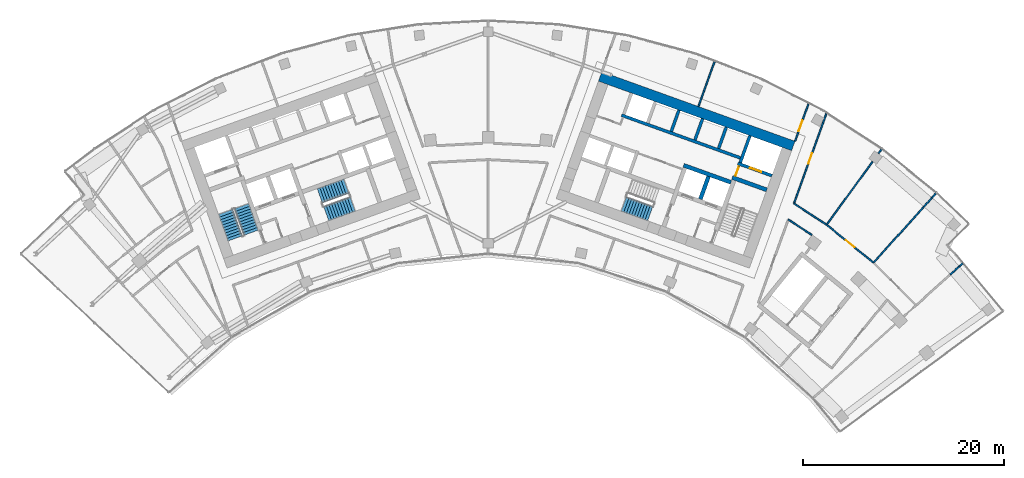
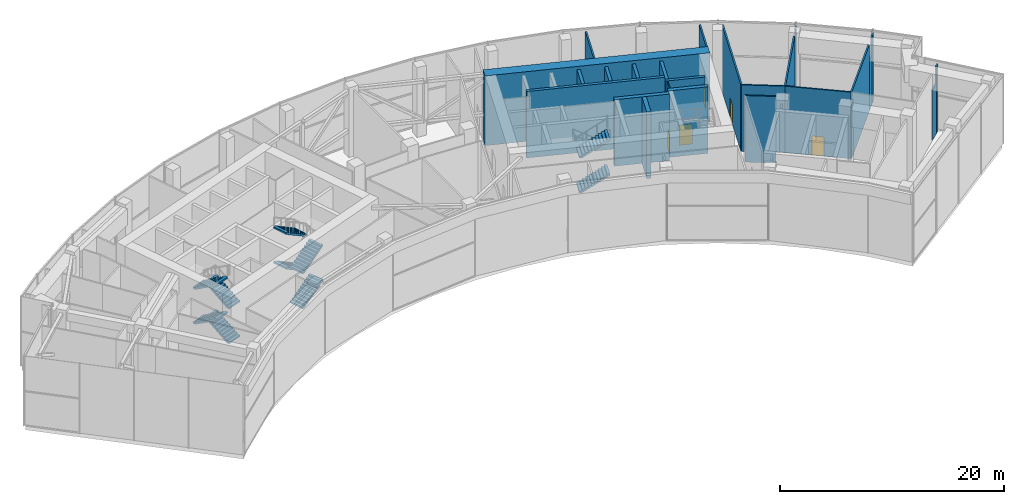
# One storey, part 23 of 26: 24 walls, 10 stair flights, 5 doors, 5 openings, 3 elements without a shape of their own.
"""IFC4 building model written with IfcOpenShell, lengths in metres."""

from ifc_helpers import new_model, si_unit, direction, frame, frame_2d, origin, place, context, subcontext, project, spatial, polyline, rectangle, outline, extrude, material, layer, layer_set, type_object, element, fill, aggregate, save


model = new_model("IFC4")

# Units and contexts
model_context = context("Model", 3, precision=1e-05, world=origin(), true_north=direction((0.0, 1.0)))
body_context = subcontext(model_context, "Body", "Model", "MODEL_VIEW")
ifc_project = project(units=[si_unit("LENGTHUNIT", "METRE"), si_unit("AREAUNIT", "SQUARE_METRE"), si_unit("VOLUMEUNIT", "CUBIC_METRE"), si_unit("PLANEANGLEUNIT", "RADIAN"), si_unit("MASSUNIT", "GRAM", prefix="KILO")], contexts=[model_context])

# Site, building, storey
site_placement = place(None, origin())
site = spatial("IfcSite", under=ifc_project, at=site_placement, CompositionType="ELEMENT")
building_placement = place(site_placement, origin())
building = spatial("IfcBuilding", under=site, at=building_placement, Name="Stone Belt Terrace Tower", CompositionType="ELEMENT")
storey_placement = place(building_placement, frame((0.0, 0.0, 250.39990234375)))
storey = spatial("IfcBuildingStorey", under=building, at=storey_placement, Name="L61", CompositionType="ELEMENT", Elevation=250.39990234375)

# Wall, opening, door
ifc_material_1 = material(Name="Plasterboard partition")
ifc_layer_1 = layer(ifc_material_1, 0.10009765625)
ifc_layer_set_1 = layer_set([ifc_layer_1], Name="Core partition 100")
wall_type_1 = type_object("IfcWallType", Name="Core partition 100", PredefinedType="PARTITIONING", material=ifc_layer_set_1)
wall_1_placement = place(storey_placement, frame((24.555908203125, 51.10400390625, 0.0), z_axis=(0.0, 0.0, 1.0), x_axis=(0.338621735342, 0.94092258999, 0.0)))
wall_1 = element("IfcWall", 1, at=wall_1_placement, inside=storey, type_object=wall_type_1, Name="Core B wall", PredefinedType="PARTITIONING", context=body_context, shape_type="SweptSolid", body=[
    extrude(rectangle(XDim=1.14990234375, YDim=0.10009765625, at=frame_2d((0.574951171875, 0.0))), origin(), (0.0, 0.0, 1.0), 7.25),
])
opening_1_placement = place(wall_1_placement, frame((0.050048828125, 0.0, 0.0)))
opening_1 = element("IfcOpeningElement", 2, at=opening_1_placement, cuts=wall_1, Name="Opening L61-C13", PredefinedType="OPENING", context=body_context, shape_type="SweptSolid", body=[
    extrude(rectangle(XDim=1.0, YDim=2.10009765625, at=frame_2d((0.5, 1.050048828125))), frame((0.0, 0.06005859375, 0.0), z_axis=(0.0, -1.0, 0.0), x_axis=(1.0, 0.0, 0.0)), (0.0, 0.0, 1.0), 0.1201171875),
])
ifc_material_2 = material(Name="Timber door leaf", Category="wood")
door_type_1 = type_object("IfcDoorType", Name="Core room door 1000", OperationType="SINGLE_SWING_LEFT", PredefinedType="DOOR", material=ifc_material_2)
door_1_placement = place(opening_1_placement, origin())
door_1 = element("IfcDoor", 3, at=door_1_placement, inside=storey, type_object=door_type_1, Name="Service lift lobby door core B", OperationType="SINGLE_SWING_LEFT", OverallHeight=2.10009765625, OverallWidth=1.0, PredefinedType="DOOR", context=body_context, shape_type="SweptSolid", body=[
    extrude(rectangle(XDim=1.0, YDim=2.10009765625, at=frame_2d((0.5, 1.050048828125))), frame((0.0, 0.02490234375, 0.0), z_axis=(0.0, -1.0, 0.0), x_axis=(1.0, 0.0, 0.0)), (0.0, 0.0, 1.0), 0.050048828125),
])
fill(opening_1, door_1)

# Walls
ifc_material_3 = material(Name="Concrete B60", Category="concrete")
ifc_layer_2 = layer(ifc_material_3, 1.0)
ifc_layer_set_2 = layer_set([ifc_layer_2], Name="Core wall 1000 B60")
wall_type_2 = type_object("IfcWallType", Name="Core wall 1000 B60", PredefinedType="SHEAR", material=ifc_layer_set_2)
wall_2_placement = place(storey_placement, frame((11.12646484375, 61.038330078125, 0.0), z_axis=(0.0, 0.0, 1.0), x_axis=(0.940921428504, -0.338624962727, 0.0)))
element("IfcWall", 4, at=wall_2_placement, inside=storey, type_object=wall_type_2, Name="Core B wall convex L61", PredefinedType="SHEAR", context=body_context, shape_type="SweptSolid", body=[
    extrude(rectangle(XDim=20.400146484375, YDim=1.0, at=frame_2d((10.2001953125, 0.0))), origin(), (0.0, 0.0, 1.0), 7.60009765625),
])
ifc_material_4 = material(Name="Concrete B80", Category="concrete")
ifc_layer_3 = layer(ifc_material_4, 0.39990234375)
ifc_layer_set_3 = layer_set([ifc_layer_3], Name="Fire-fighting lift shaft wall 400")
wall_type_3 = type_object("IfcWallType", Name="Fire-fighting lift shaft wall 400", PredefinedType="SHEAR", material=ifc_layer_set_3)
wall_3_placement = place(storey_placement, frame((24.130615234375, 50.512939453125, 0.0), z_axis=(0.0, 0.0, 1.0), x_axis=(-0.94091168377, 0.338652038744, 0.0)))
element("IfcWall", 5, at=wall_3_placement, inside=storey, type_object=wall_type_3, Name="Core B wall", PredefinedType="SHEAR", context=body_context, shape_type="SweptSolid", body=[
    extrude(rectangle(XDim=5.000244140625, YDim=0.39990234375, at=frame_2d((2.5, 0.0))), origin(), (0.0, 0.0, 1.0), 7.25),
])
wall_4_placement = place(storey_placement, frame((21.0859375, 48.845458984375, 0.0), z_axis=(0.0, 0.0, 1.0), x_axis=(0.338629416206, 0.940919825745, 0.0)))
element("IfcWall", 6, at=wall_4_placement, inside=storey, type_object=wall_type_3, Name="Core B wall", PredefinedType="SHEAR", context=body_context, shape_type="SweptSolid", body=[
    extrude(rectangle(XDim=2.400146484375, YDim=0.39990234375, at=frame_2d((1.2001953125, 0.0))), origin(), (0.0, 0.0, 1.0), 7.25),
])

# Wall, opening, door
ifc_layer_4 = layer(ifc_material_4, 0.300048828125)
ifc_layer_set_4 = layer_set([ifc_layer_4], Name="Lift shaft wall 300")
wall_type_4 = type_object("IfcWallType", Name="Lift shaft wall 300", PredefinedType="SHEAR", material=ifc_layer_set_4)
wall_5_placement = place(storey_placement, frame((28.195068359375, 51.17578125, 0.0), z_axis=(0.0, 0.0, 1.0), x_axis=(-0.940901243567, 0.338681044427, 0.0)))
wall_5 = element("IfcWall", 7, at=wall_5_placement, inside=storey, type_object=wall_type_4, Name="Core B wall", PredefinedType="SHEAR", context=body_context, shape_type="SweptSolid", body=[
    extrude(rectangle(XDim=3.599853515625, YDim=0.300048828125, at=frame_2d((1.7998046875, 0.0))), origin(), (0.0, 0.0, 1.0), 7.25),
])
opening_2_placement = place(wall_5_placement, frame((1.1201171875, 0.0, 0.0)))
opening_2 = element("IfcOpeningElement", 8, at=opening_2_placement, cuts=wall_5, Name="Opening L61-LD06", PredefinedType="OPENING", context=body_context, shape_type="SweptSolid", body=[
    extrude(rectangle(XDim=1.199951171875, YDim=2.199951171875, at=frame_2d((0.60009765625, 1.10009765625))), frame((0.0, 0.159912109375, 0.0), z_axis=(0.0, -1.0, 0.0), x_axis=(1.0, 0.0, 0.0)), (0.0, 0.0, 1.0), 0.320068359375),
])
ifc_material_5 = material(Name="Stainless steel door leaf", Category="steel")
door_type_2 = type_object("IfcDoorType", Name="Landing door 1200", OperationType="SLIDING_TO_LEFT", PredefinedType="DOOR", material=ifc_material_5)
door_2_placement = place(opening_2_placement, origin())
door_2 = element("IfcDoor", 9, at=door_2_placement, inside=storey, type_object=door_type_2, Name="Landing door SV1 core B", OperationType="SLIDING_TO_LEFT", OverallHeight=2.199951171875, OverallWidth=1.199951171875, PredefinedType="DOOR", context=body_context, shape_type="SweptSolid", body=[
    extrude(rectangle(XDim=1.199951171875, YDim=2.199951171875, at=frame_2d((0.60009765625, 1.10009765625))), frame((0.0, 0.02490234375, 0.0), z_axis=(0.0, -1.0, 0.0), x_axis=(1.0, 0.0, 0.0)), (0.0, 0.0, 1.0), 0.050048828125),
])
fill(opening_2, door_2)

# Walls
wall_6_placement = place(storey_placement, frame((25.046875, 52.46826171875, 0.0), z_axis=(0.0, 0.0, 1.0), x_axis=(0.338549588058, 0.940948551423, 0.0)))
element("IfcWall", 10, at=wall_6_placement, inside=storey, type_object=wall_type_4, Name="Core B wall", PredefinedType="SHEAR", context=body_context, shape_type="SweptSolid", body=[
    extrude(rectangle(XDim=2.849853515625, YDim=0.300048828125, at=frame_2d((1.4248046875, 0.0))), origin(), (0.0, 0.0, 1.0), 7.25),
])
wall_7_placement = place(storey_placement, frame((25.05810546875, 52.9423828125, 0.0), z_axis=(0.0, 0.0, 1.0), x_axis=(-0.940921381676, 0.338625092847, 0.0)))
element("IfcWall", 11, at=wall_7_placement, inside=storey, type_object=wall_type_4, Name="Core B wall", PredefinedType="SHEAR", context=body_context, shape_type="SweptSolid", body=[
    extrude(rectangle(XDim=12.550048828125, YDim=0.300048828125, at=frame_2d((6.27490234375, 0.0))), origin(), (0.0, 0.0, 1.0), 7.25),
])
wall_8_placement = place(storey_placement, frame((22.897705078125, 53.87939453125, 0.0), z_axis=(0.0, 0.0, 1.0), x_axis=(0.338535034312, 0.940953787677, 0.0)))
element("IfcWall", 12, at=wall_8_placement, inside=storey, type_object=wall_type_4, Name="Core B wall", PredefinedType="SHEAR", context=body_context, shape_type="SweptSolid", body=[
    extrude(rectangle(XDim=2.25, YDim=0.300048828125, at=frame_2d((1.125, 0.0))), origin(), (0.0, 0.0, 1.0), 7.25),
])
wall_9_placement = place(storey_placement, frame((20.54541015625, 54.72607421875, 0.0), z_axis=(0.0, 0.0, 1.0), x_axis=(0.338569601369, 0.940941350472, 0.0)))
element("IfcWall", 13, at=wall_9_placement, inside=storey, type_object=wall_type_4, Name="Core B wall", PredefinedType="SHEAR", context=body_context, shape_type="SweptSolid", body=[
    extrude(rectangle(XDim=2.249755859375, YDim=0.300048828125, at=frame_2d((1.125, 0.0))), origin(), (0.0, 0.0, 1.0), 7.25),
])
wall_10_placement = place(storey_placement, frame((18.193115234375, 55.572509765625, 0.0), z_axis=(0.0, 0.0, 1.0), x_axis=(0.338535034312, 0.940953787677, 0.0)))
element("IfcWall", 14, at=wall_10_placement, inside=storey, type_object=wall_type_4, Name="Core B wall", PredefinedType="SHEAR", context=body_context, shape_type="SweptSolid", body=[
    extrude(rectangle(XDim=2.25, YDim=0.300048828125, at=frame_2d((1.125, 0.0))), origin(), (0.0, 0.0, 1.0), 7.25),
])

# Wall, opening, door
ifc_material_6 = material(Name="Gypsum board partition")
ifc_layer_5 = layer(ifc_material_6, 0.14990234375)
ifc_layer_set_5 = layer_set([ifc_layer_5], Name="PARTITION 150 EI 60")
wall_type_5 = type_object("IfcWallType", Name="PARTITION 150 EI 60", PredefinedType="PARTITIONING", material=ifc_layer_set_5)
wall_11_placement = place(storey_placement, frame((30.490966796875, 54.60107421875, 0.0), z_axis=(0.0, 0.0, 1.0), x_axis=(0.338542007836, 0.940951278723, 0.0)))
wall_11 = element("IfcWall", 15, at=wall_11_placement, inside=storey, type_object=wall_type_5, Name="L61/wall/i026", PredefinedType="PARTITIONING", context=body_context, shape_type="SweptSolid", body=[
    extrude(rectangle(XDim=3.946044921875, YDim=0.14990234375, at=frame_2d((1.97314453125, 0.0))), origin(), (0.0, 0.0, 1.0), 7.25),
])
opening_3_placement = place(wall_11_placement, frame((1.086181640625, 0.0, 0.0)))
opening_3 = element("IfcOpeningElement", 16, at=opening_3_placement, cuts=wall_11, Name="Opening D-T4-10", PredefinedType="OPENING", context=body_context, shape_type="SweptSolid", body=[
    extrude(rectangle(XDim=1.10009765625, YDim=2.10009765625, at=frame_2d((0.550048828125, 1.050048828125))), frame((0.0, 0.0849609375, 0.0), z_axis=(0.0, -1.0, 0.0), x_axis=(1.0, 0.0, 0.0)), (0.0, 0.0, 1.0), 0.169921875),
])
ifc_material_7 = material(Name="Steel fire door set", Category="steel")
door_type_3 = type_object("IfcDoorType", Name="SERVICE ROOM DOOR 1100 X 2100", OperationType="NOTDEFINED", PredefinedType="DOOR", material=ifc_material_7)
door_3_placement = place(opening_3_placement, origin())
door_3 = element("IfcDoor", 17, at=door_3_placement, inside=storey, type_object=door_type_3, Name="L61/door/i10", OperationType="SINGLE_SWING_LEFT", OverallHeight=2.10009765625, OverallWidth=1.10009765625, PredefinedType="DOOR", context=body_context, shape_type="SweptSolid", body=[
    extrude(rectangle(XDim=1.10009765625, YDim=2.10009765625, at=frame_2d((0.550048828125, 1.050048828125))), frame((0.0, 0.02490234375, 0.0), z_axis=(0.0, -1.0, 0.0), x_axis=(1.0, 0.0, 0.0)), (0.0, 0.0, 1.0), 0.050048828125),
])
fill(opening_3, door_3)

wall_12_placement = place(storey_placement, frame((33.60791015625, 57.35400390625, 0.0), z_axis=(0.0, 0.0, 1.0), x_axis=(-0.338637614316, -0.940916875271, 0.0)))
wall_12 = element("IfcWall", 18, at=wall_12_placement, inside=storey, type_object=wall_type_5, Name="L61/wall/i030", PredefinedType="PARTITIONING", context=body_context, shape_type="SweptSolid", body=[
    extrude(rectangle(XDim=9.505615234375, YDim=0.14990234375, at=frame_2d((4.7529296875, 0.0))), origin(), (0.0, 0.0, 1.0), 7.25),
])
opening_4_placement = place(wall_12_placement, frame((4.202880859375, 0.0, 0.0)))
opening_4 = element("IfcOpeningElement", 19, at=opening_4_placement, cuts=wall_12, Name="Opening D-T4-22", PredefinedType="OPENING", context=body_context, shape_type="SweptSolid", body=[
    extrude(rectangle(XDim=1.10009765625, YDim=2.10009765625, at=frame_2d((0.550048828125, 1.050048828125))), frame((0.0, 0.0849609375, 0.0), z_axis=(0.0, -1.0, 0.0), x_axis=(1.0, 0.0, 0.0)), (0.0, 0.0, 1.0), 0.169921875),
])
door_4_placement = place(opening_4_placement, origin())
door_4 = element("IfcDoor", 20, at=door_4_placement, inside=storey, type_object=door_type_3, Name="L61/door/i22", OperationType="SINGLE_SWING_LEFT", OverallHeight=2.10009765625, OverallWidth=1.10009765625, PredefinedType="DOOR", context=body_context, shape_type="SweptSolid", body=[
    extrude(rectangle(XDim=1.10009765625, YDim=2.10009765625, at=frame_2d((0.550048828125, 1.050048828125))), frame((0.0, 0.02490234375, 0.0), z_axis=(0.0, -1.0, 0.0), x_axis=(1.0, 0.0, 0.0)), (0.0, 0.0, 1.0), 0.050048828125),
])
fill(opening_4, door_4)

# Walls
wall_13_placement = place(storey_placement, frame((22.492919921875, 62.4990234375, 0.0), z_axis=(0.0, 0.0, 1.0), x_axis=(-0.3387158076, -0.940888729703, 0.0)))
element("IfcWall", 21, at=wall_13_placement, inside=storey, type_object=wall_type_5, Name="L61/wall/i037", PredefinedType="PARTITIONING", context=body_context, shape_type="SweptSolid", body=[
    extrude(rectangle(XDim=4.723388671875, YDim=0.14990234375, at=frame_2d((2.36181640625, 0.0))), origin(), (0.0, 0.0, 1.0), 7.25),
])
wall_14_placement = place(storey_placement, frame((45.92529296875, 41.351806640625, 0.0), z_axis=(0.0, 0.0, 1.0), x_axis=(0.743142891823, 0.669132753893, 0.0)))
element("IfcWall", 22, at=wall_14_placement, inside=storey, type_object=wall_type_5, Name="L61/wall/i057-2", PredefinedType="PARTITIONING", context=body_context, shape_type="SweptSolid", body=[
    extrude(rectangle(XDim=1.2041015625, YDim=0.14990234375, at=frame_2d((0.60205078125, 0.0))), origin(), (0.0, 0.0, 1.0), 5.4501953125),
])
wall_15_placement = place(storey_placement, frame((46.820068359375, 42.157470703125, 0.0), z_axis=(0.0, 0.0, 1.0), x_axis=(0.742765901838, 0.669551204215, 0.0)))
element("IfcWall", 23, at=wall_15_placement, inside=storey, type_object=wall_type_5, Name="L61/wall/i057-3", PredefinedType="PARTITIONING", context=body_context, shape_type="SweptSolid", body=[
    extrude(rectangle(XDim=0.436767578125, YDim=0.14990234375, at=frame_2d((0.21826171875, 0.0))), origin(), (0.0, 0.0, 1.0), 7.25),
])
wall_16_placement = place(storey_placement, frame((32.15869140625, 45.2919921875, 0.0), z_axis=(0.0, 0.0, 1.0), x_axis=(-0.837346388284, 0.546672686374, 0.0)))
element("IfcWall", 24, at=wall_16_placement, inside=storey, type_object=wall_type_5, Name="L61/wall/i059", PredefinedType="PARTITIONING", context=body_context, shape_type="SweptSolid", body=[
    extrude(rectangle(XDim=2.795166015625, YDim=0.14990234375, at=frame_2d((1.3974609375, 0.0))), origin(), (0.0, 0.0, 1.0), 7.25),
])
wall_17_placement = place(storey_placement, frame((30.39111328125, 48.4150390625, 0.0), z_axis=(0.0, 0.0, 1.0), x_axis=(0.837265796004, -0.546796110851, 0.0)))
element("IfcWall", 25, at=wall_17_placement, inside=storey, type_object=wall_type_5, Name="L61/wall/i061", PredefinedType="PARTITIONING", context=body_context, shape_type="SweptSolid", body=[
    extrude(rectangle(XDim=3.87548828125, YDim=0.14990234375, at=frame_2d((1.937744140625, 0.0))), origin(), (0.0, 0.0, 1.0), 7.25),
])

# Wall, opening, door
wall_18_placement = place(storey_placement, frame((33.635986328125, 46.2958984375, 0.0), z_axis=(0.0, 0.0, 1.0), x_axis=(0.77714422733, -0.629322532513, 0.0)))
wall_18 = element("IfcWall", 26, at=wall_18_placement, inside=storey, type_object=wall_type_5, Name="L61/wall/i062", PredefinedType="PARTITIONING", context=body_context, shape_type="SweptSolid", body=[
    extrude(rectangle(XDim=5.98876953125, YDim=0.14990234375, at=frame_2d((2.994384765625, 0.0))), origin(), (0.0, 0.0, 1.0), 7.25),
])
opening_5_placement = place(wall_18_placement, frame((2.4443359375, 0.0, 0.0)))
opening_5 = element("IfcOpeningElement", 27, at=opening_5_placement, cuts=wall_18, Name="Opening D-T4-23", PredefinedType="OPENING", context=body_context, shape_type="SweptSolid", body=[
    extrude(rectangle(XDim=1.10009765625, YDim=2.10009765625, at=frame_2d((0.550048828125, 1.050048828125))), frame((0.0, 0.0849609375, 0.0), z_axis=(0.0, -1.0, 0.0), x_axis=(1.0, 0.0, 0.0)), (0.0, 0.0, 1.0), 0.169921875),
])
door_5_placement = place(opening_5_placement, origin())
door_5 = element("IfcDoor", 28, at=door_5_placement, inside=storey, type_object=door_type_3, Name="L61/door/i23", OperationType="SINGLE_SWING_LEFT", OverallHeight=2.10009765625, OverallWidth=1.10009765625, PredefinedType="DOOR", context=body_context, shape_type="SweptSolid", body=[
    extrude(rectangle(XDim=1.10009765625, YDim=2.10009765625, at=frame_2d((0.550048828125, 1.050048828125))), frame((0.0, 0.02490234375, 0.0), z_axis=(0.0, -1.0, 0.0), x_axis=(1.0, 0.0, 0.0)), (0.0, 0.0, 1.0), 0.050048828125),
])
fill(opening_5, door_5)

# Walls
wall_19_placement = place(storey_placement, frame((39.087890625, 53.7998046875, 0.0), z_axis=(0.0, 0.0, 1.0), x_axis=(-0.588057050604, -0.808819451568, 0.0)))
element("IfcWall", 29, at=wall_19_placement, inside=storey, type_object=wall_type_5, Name="L61/wall/i067", PredefinedType="PARTITIONING", context=body_context, shape_type="SweptSolid", body=[
    extrude(rectangle(XDim=0.506591796875, YDim=0.14990234375, at=frame_2d((0.25341796875, 0.0))), origin(), (0.0, 0.0, 1.0), 7.25),
])
wall_20_placement = place(storey_placement, frame((38.196533203125, 52.572998046875, 0.0), z_axis=(0.0, 0.0, 1.0), x_axis=(-0.587782473293, -0.809019013429, 0.0)))
element("IfcWall", 30, at=wall_20_placement, inside=storey, type_object=wall_type_5, Name="L61/wall/i068", PredefinedType="PARTITIONING", context=body_context, shape_type="SweptSolid", body=[
    extrude(rectangle(XDim=7.7587890625, YDim=0.14990234375, at=frame_2d((3.87939453125, 0.0))), origin(), (0.0, 0.0, 1.0), 7.25),
])
wall_21_placement = place(storey_placement, frame((44.496826171875, 49.41943359375, 0.0), z_axis=(0.0, 0.0, 1.0), x_axis=(-0.668941775956, -0.743314805705, 0.0)))
element("IfcWall", 31, at=wall_21_placement, inside=storey, type_object=wall_type_5, Name="L61/wall/i069-1", PredefinedType="PARTITIONING", context=body_context, shape_type="SweptSolid", body=[
    extrude(rectangle(XDim=0.587646484375, YDim=0.14990234375, at=frame_2d((0.2939453125, 0.0))), origin(), (0.0, 0.0, 1.0), 7.25),
])
wall_22_placement = place(storey_placement, frame((44.103759765625, 48.982666015625, 0.0), z_axis=(0.0, 0.0, 1.0), x_axis=(-0.669143902859, -0.743132853039, 0.0)))
element("IfcWall", 32, at=wall_22_placement, inside=storey, type_object=wall_type_5, Name="L61/wall/i069-2", PredefinedType="PARTITIONING", context=body_context, shape_type="SweptSolid", body=[
    extrude(rectangle(XDim=1.204345703125, YDim=0.14990234375, at=frame_2d((0.60205078125, 0.0))), origin(), (0.0, 0.0, 1.0), 5.4501953125),
])
wall_23_placement = place(storey_placement, frame((43.2978515625, 48.087646484375, 0.0), z_axis=(0.0, 0.0, 1.0), x_axis=(-0.669056650987, -0.74321140853, 0.0)))
element("IfcWall", 33, at=wall_23_placement, inside=storey, type_object=wall_type_5, Name="L61/wall/i069-3", PredefinedType="PARTITIONING", context=body_context, shape_type="SweptSolid", body=[
    extrude(rectangle(XDim=7.4833984375, YDim=0.14990234375, at=frame_2d((3.74169921875, 0.0))), origin(), (0.0, 0.0, 1.0), 7.25),
])
ifc_layer_6 = layer(ifc_material_4, 0.39990234375)
ifc_layer_set_6 = layer_set([ifc_layer_6], Name="Stair enclosure wall 400")
wall_type_6 = type_object("IfcWallType", Name="Stair enclosure wall 400", PredefinedType="SHEAR", material=ifc_layer_set_6)
wall_24_placement = place(storey_placement, frame((27.687255859375, 49.764404296875, 0.0), z_axis=(0.0, 0.0, 1.0), x_axis=(-0.940918954884, 0.338631835981, 0.0)))
element("IfcWall", 34, at=wall_24_placement, inside=storey, type_object=wall_type_6, Name="Core B wall", PredefinedType="SHEAR", context=body_context, shape_type="SweptSolid", body=[
    extrude(rectangle(XDim=3.650146484375, YDim=0.39990234375, at=frame_2d((1.8251953125, 0.0))), origin(), (0.0, 0.0, 1.0), 7.25),
])

# Stair, stair flights
ifc_material_8 = material(Name="Concrete B40", Category="concrete")
stair_type = type_object("IfcStairType", Name="Exit stair 1500", PredefinedType="HALF_TURN_STAIR", material=ifc_material_8)
stair_1_placement = place(storey_placement, origin())
stair_1 = element("IfcStair", 35, at=stair_1_placement, inside=storey, type_object=stair_type, Name="L61 Exit stair 1 core A", PredefinedType="HALF_TURN_STAIR")
stair_flight_type = type_object("IfcStairFlightType", Name="Stair flight 1500", PredefinedType="STRAIGHT", material=ifc_material_8)
stair_flight_1_placement = place(storey_placement, frame((-23.55322265625, 45.51318359375, 0.0), z_axis=(0.0, 0.0, 1.0), x_axis=(-0.338624396177, 0.940921632398, 0.0)))
stair_flight_1 = element("IfcStairFlight", 36, at=stair_flight_1_placement, type_object=stair_flight_type, Name="ST1A flight 1", NumberOfRisers=11, NumberOfTreads=10, PredefinedType="STRAIGHT", RiserHeight=0.172727273, TreadLength=0.28, context=body_context, shape_type="SweptSolid", body=[
    extrude(outline(polyline([(0.0, 0.0), (0.0, 0.172607421875), (0.280029296875, 0.172607421875), (0.280029296875, 0.345458984375), (0.56005859375, 0.345458984375), (0.56005859375, 0.51806640625), (0.840087890625, 0.51806640625), (0.840087890625, 0.69091796875), (1.1201171875, 0.69091796875), (1.1201171875, 0.863525390625), (1.39990234375, 0.863525390625), (1.39990234375, 1.036376953125), (1.679931640625, 1.036376953125), (1.679931640625, 1.208984375), (1.9599609375, 1.208984375), (1.9599609375, 1.3818359375), (2.239990234375, 1.3818359375), (2.239990234375, 1.554443359375), (2.52001953125, 1.554443359375), (2.52001953125, 1.727294921875), (2.800048828125, 1.727294921875), (2.800048828125, 1.89990234375), (2.800048828125, 1.551025390625), (0.285400390625, 0.0), (0.0, 0.0)])), frame((0.0, 0.75, 0.0), z_axis=(0.0, -1.0, 0.0), x_axis=(1.0, 0.0, 0.0)), (0.0, 0.0, 1.0), 1.5),
])
stair_flight_2_placement = place(storey_placement, frame((-26.10107421875, 47.572021484375, 1.900146484375), z_axis=(0.0, 0.0, 1.0), x_axis=(0.338624396177, -0.940921632398, 0.0)))
stair_flight_2 = element("IfcStairFlight", 37, at=stair_flight_2_placement, type_object=stair_flight_type, Name="ST1A flight 2", NumberOfRisers=11, NumberOfTreads=10, PredefinedType="STRAIGHT", RiserHeight=0.172727273, TreadLength=0.28, context=body_context, shape_type="SweptSolid", body=[
    extrude(outline(polyline([(0.0, 0.0), (0.0, 0.172607421875), (0.280029296875, 0.172607421875), (0.280029296875, 0.345458984375), (0.56005859375, 0.345458984375), (0.56005859375, 0.51806640625), (0.840087890625, 0.51806640625), (0.840087890625, 0.69091796875), (1.1201171875, 0.69091796875), (1.1201171875, 0.863525390625), (1.39990234375, 0.863525390625), (1.39990234375, 1.036376953125), (1.679931640625, 1.036376953125), (1.679931640625, 1.208984375), (1.9599609375, 1.208984375), (1.9599609375, 1.3818359375), (2.239990234375, 1.3818359375), (2.239990234375, 1.554443359375), (2.52001953125, 1.554443359375), (2.52001953125, 1.727294921875), (2.800048828125, 1.727294921875), (2.800048828125, 1.89990234375), (2.800048828125, 1.551025390625), (0.285400390625, 0.0), (0.0, 0.0)])), frame((0.0, 0.75, 0.0), z_axis=(0.0, -1.0, 0.0), x_axis=(1.0, 0.0, 0.0)), (0.0, 0.0, 1.0), 1.5),
])
stair_flight_3_placement = place(storey_placement, frame((-23.55322265625, 45.51318359375, 3.800048828125), z_axis=(0.0, 0.0, 1.0), x_axis=(-0.338624396177, 0.940921632398, 0.0)))
stair_flight_3 = element("IfcStairFlight", 38, at=stair_flight_3_placement, type_object=stair_flight_type, Name="ST1A flight 3", NumberOfRisers=11, NumberOfTreads=10, PredefinedType="STRAIGHT", RiserHeight=0.172727273, TreadLength=0.28, context=body_context, shape_type="SweptSolid", body=[
    extrude(outline(polyline([(0.0, 0.0), (0.0, 0.172607421875), (0.280029296875, 0.172607421875), (0.280029296875, 0.345458984375), (0.56005859375, 0.345458984375), (0.56005859375, 0.51806640625), (0.840087890625, 0.51806640625), (0.840087890625, 0.69091796875), (1.1201171875, 0.69091796875), (1.1201171875, 0.863525390625), (1.39990234375, 0.863525390625), (1.39990234375, 1.036376953125), (1.679931640625, 1.036376953125), (1.679931640625, 1.208984375), (1.9599609375, 1.208984375), (1.9599609375, 1.3818359375), (2.239990234375, 1.3818359375), (2.239990234375, 1.554443359375), (2.52001953125, 1.554443359375), (2.52001953125, 1.727294921875), (2.800048828125, 1.727294921875), (2.800048828125, 1.89990234375), (2.800048828125, 1.551025390625), (0.285400390625, 0.0), (0.0, 0.0)])), frame((0.0, 0.75, 0.0), z_axis=(0.0, -1.0, 0.0), x_axis=(1.0, 0.0, 0.0)), (0.0, 0.0, 1.0), 1.5),
])
stair_flight_4_placement = place(storey_placement, frame((-26.10107421875, 47.572021484375, 5.7001953125), z_axis=(0.0, 0.0, 1.0), x_axis=(0.338624396177, -0.940921632398, 0.0)))
stair_flight_4 = element("IfcStairFlight", 39, at=stair_flight_4_placement, type_object=stair_flight_type, Name="ST1A flight 4", NumberOfRisers=11, NumberOfTreads=10, PredefinedType="STRAIGHT", RiserHeight=0.172727273, TreadLength=0.28, context=body_context, shape_type="SweptSolid", body=[
    extrude(outline(polyline([(0.0, 0.0), (0.0, 0.172607421875), (0.280029296875, 0.172607421875), (0.280029296875, 0.345458984375), (0.56005859375, 0.345458984375), (0.56005859375, 0.51806640625), (0.840087890625, 0.51806640625), (0.840087890625, 0.69091796875), (1.1201171875, 0.69091796875), (1.1201171875, 0.863525390625), (1.39990234375, 0.863525390625), (1.39990234375, 1.036376953125), (1.679931640625, 1.036376953125), (1.679931640625, 1.208984375), (1.9599609375, 1.208984375), (1.9599609375, 1.3818359375), (2.239990234375, 1.3818359375), (2.239990234375, 1.554443359375), (2.52001953125, 1.554443359375), (2.52001953125, 1.727294921875), (2.800048828125, 1.727294921875), (2.800048828125, 1.89990234375), (2.800048828125, 1.551025390625), (0.285400390625, 0.0), (0.0, 0.0)])), frame((0.0, 0.75, 0.0), z_axis=(0.0, -1.0, 0.0), x_axis=(1.0, 0.0, 0.0)), (0.0, 0.0, 1.0), 1.5),
])
aggregate(stair_1, [stair_flight_1, stair_flight_2, stair_flight_3, stair_flight_4])

stair_2_placement = place(storey_placement, origin())
stair_2 = element("IfcStair", 40, at=stair_2_placement, inside=storey, type_object=stair_type, Name="L61 Exit stair 2 core A", PredefinedType="HALF_TURN_STAIR")
stair_flight_5_placement = place(storey_placement, frame((-16.101318359375, 47.39794921875, 0.0), z_axis=(0.0, 0.0, 1.0), x_axis=(0.940921632398, 0.338624396177, 0.0)))
stair_flight_5 = element("IfcStairFlight", 41, at=stair_flight_5_placement, type_object=stair_flight_type, Name="ST2A flight 1", NumberOfRisers=11, NumberOfTreads=10, PredefinedType="STRAIGHT", RiserHeight=0.172727273, TreadLength=0.28, context=body_context, shape_type="SweptSolid", body=[
    extrude(outline(polyline([(0.0, 0.0), (0.0, 0.172607421875), (0.280029296875, 0.172607421875), (0.280029296875, 0.345458984375), (0.56005859375, 0.345458984375), (0.56005859375, 0.51806640625), (0.840087890625, 0.51806640625), (0.840087890625, 0.69091796875), (1.1201171875, 0.69091796875), (1.1201171875, 0.863525390625), (1.39990234375, 0.863525390625), (1.39990234375, 1.036376953125), (1.679931640625, 1.036376953125), (1.679931640625, 1.208984375), (1.9599609375, 1.208984375), (1.9599609375, 1.3818359375), (2.239990234375, 1.3818359375), (2.239990234375, 1.554443359375), (2.52001953125, 1.554443359375), (2.52001953125, 1.727294921875), (2.800048828125, 1.727294921875), (2.800048828125, 1.89990234375), (2.800048828125, 1.551025390625), (0.285400390625, 0.0), (0.0, 0.0)])), frame((0.0, 0.75, 0.0), z_axis=(0.0, -1.0, 0.0), x_axis=(1.0, 0.0, 0.0)), (0.0, 0.0, 1.0), 1.5),
])
stair_flight_6_placement = place(storey_placement, frame((-14.110107421875, 50.1337890625, 1.900146484375), z_axis=(0.0, 0.0, 1.0), x_axis=(-0.940921632398, -0.338624396177, 0.0)))
stair_flight_6 = element("IfcStairFlight", 42, at=stair_flight_6_placement, type_object=stair_flight_type, Name="ST2A flight 2", NumberOfRisers=11, NumberOfTreads=10, PredefinedType="STRAIGHT", RiserHeight=0.172727273, TreadLength=0.28, context=body_context, shape_type="SweptSolid", body=[
    extrude(outline(polyline([(0.0, 0.0), (0.0, 0.172607421875), (0.280029296875, 0.172607421875), (0.280029296875, 0.345458984375), (0.56005859375, 0.345458984375), (0.56005859375, 0.51806640625), (0.840087890625, 0.51806640625), (0.840087890625, 0.69091796875), (1.1201171875, 0.69091796875), (1.1201171875, 0.863525390625), (1.39990234375, 0.863525390625), (1.39990234375, 1.036376953125), (1.679931640625, 1.036376953125), (1.679931640625, 1.208984375), (1.9599609375, 1.208984375), (1.9599609375, 1.3818359375), (2.239990234375, 1.3818359375), (2.239990234375, 1.554443359375), (2.52001953125, 1.554443359375), (2.52001953125, 1.727294921875), (2.800048828125, 1.727294921875), (2.800048828125, 1.89990234375), (2.800048828125, 1.551025390625), (0.285400390625, 0.0), (0.0, 0.0)])), frame((0.0, 0.75, 0.0), z_axis=(0.0, -1.0, 0.0), x_axis=(1.0, 0.0, 0.0)), (0.0, 0.0, 1.0), 1.5),
])
stair_flight_7_placement = place(storey_placement, frame((-16.101318359375, 47.39794921875, 3.800048828125), z_axis=(0.0, 0.0, 1.0), x_axis=(0.940921632398, 0.338624396177, 0.0)))
stair_flight_7 = element("IfcStairFlight", 43, at=stair_flight_7_placement, type_object=stair_flight_type, Name="ST2A flight 3", NumberOfRisers=11, NumberOfTreads=10, PredefinedType="STRAIGHT", RiserHeight=0.172727273, TreadLength=0.28, context=body_context, shape_type="SweptSolid", body=[
    extrude(outline(polyline([(0.0, 0.0), (0.0, 0.172607421875), (0.280029296875, 0.172607421875), (0.280029296875, 0.345458984375), (0.56005859375, 0.345458984375), (0.56005859375, 0.51806640625), (0.840087890625, 0.51806640625), (0.840087890625, 0.69091796875), (1.1201171875, 0.69091796875), (1.1201171875, 0.863525390625), (1.39990234375, 0.863525390625), (1.39990234375, 1.036376953125), (1.679931640625, 1.036376953125), (1.679931640625, 1.208984375), (1.9599609375, 1.208984375), (1.9599609375, 1.3818359375), (2.239990234375, 1.3818359375), (2.239990234375, 1.554443359375), (2.52001953125, 1.554443359375), (2.52001953125, 1.727294921875), (2.800048828125, 1.727294921875), (2.800048828125, 1.89990234375), (2.800048828125, 1.551025390625), (0.285400390625, 0.0), (0.0, 0.0)])), frame((0.0, 0.75, 0.0), z_axis=(0.0, -1.0, 0.0), x_axis=(1.0, 0.0, 0.0)), (0.0, 0.0, 1.0), 1.5),
])
stair_flight_8_placement = place(storey_placement, frame((-14.110107421875, 50.1337890625, 5.7001953125), z_axis=(0.0, 0.0, 1.0), x_axis=(-0.940921632398, -0.338624396177, 0.0)))
stair_flight_8 = element("IfcStairFlight", 44, at=stair_flight_8_placement, type_object=stair_flight_type, Name="ST2A flight 4", NumberOfRisers=11, NumberOfTreads=10, PredefinedType="STRAIGHT", RiserHeight=0.172727273, TreadLength=0.28, context=body_context, shape_type="SweptSolid", body=[
    extrude(outline(polyline([(0.0, 0.0), (0.0, 0.172607421875), (0.280029296875, 0.172607421875), (0.280029296875, 0.345458984375), (0.56005859375, 0.345458984375), (0.56005859375, 0.51806640625), (0.840087890625, 0.51806640625), (0.840087890625, 0.69091796875), (1.1201171875, 0.69091796875), (1.1201171875, 0.863525390625), (1.39990234375, 0.863525390625), (1.39990234375, 1.036376953125), (1.679931640625, 1.036376953125), (1.679931640625, 1.208984375), (1.9599609375, 1.208984375), (1.9599609375, 1.3818359375), (2.239990234375, 1.3818359375), (2.239990234375, 1.554443359375), (2.52001953125, 1.554443359375), (2.52001953125, 1.727294921875), (2.800048828125, 1.727294921875), (2.800048828125, 1.89990234375), (2.800048828125, 1.551025390625), (0.285400390625, 0.0), (0.0, 0.0)])), frame((0.0, 0.75, 0.0), z_axis=(0.0, -1.0, 0.0), x_axis=(1.0, 0.0, 0.0)), (0.0, 0.0, 1.0), 1.5),
])
aggregate(stair_2, [stair_flight_5, stair_flight_6, stair_flight_7, stair_flight_8])

stair_3_placement = place(storey_placement, origin())
stair_3 = element("IfcStair", 45, at=stair_3_placement, inside=storey, type_object=stair_type, Name="L61 Exit stair 2 core B", PredefinedType="HALF_TURN_STAIR")
stair_flight_9_placement = place(storey_placement, frame((13.466796875, 48.345947265625, 1.900146484375), z_axis=(0.0, 0.0, 1.0), x_axis=(0.940921632398, -0.338624396177, 0.0)))
stair_flight_9 = element("IfcStairFlight", 46, at=stair_flight_9_placement, type_object=stair_flight_type, Name="ST2B flight 2", NumberOfRisers=11, NumberOfTreads=10, PredefinedType="STRAIGHT", RiserHeight=0.172727273, TreadLength=0.28, context=body_context, shape_type="SweptSolid", body=[
    extrude(outline(polyline([(0.0, 0.0), (0.0, 0.172607421875), (0.280029296875, 0.172607421875), (0.280029296875, 0.345458984375), (0.56005859375, 0.345458984375), (0.56005859375, 0.51806640625), (0.840087890625, 0.51806640625), (0.840087890625, 0.69091796875), (1.1201171875, 0.69091796875), (1.1201171875, 0.863525390625), (1.39990234375, 0.863525390625), (1.39990234375, 1.036376953125), (1.679931640625, 1.036376953125), (1.679931640625, 1.208984375), (1.9599609375, 1.208984375), (1.9599609375, 1.3818359375), (2.239990234375, 1.3818359375), (2.239990234375, 1.554443359375), (2.52001953125, 1.554443359375), (2.52001953125, 1.727294921875), (2.800048828125, 1.727294921875), (2.800048828125, 1.89990234375), (2.800048828125, 1.551025390625), (0.285400390625, 0.0), (0.0, 0.0)])), frame((0.0, 0.75, 0.0), z_axis=(0.0, -1.0, 0.0), x_axis=(1.0, 0.0, 0.0)), (0.0, 0.0, 1.0), 1.5),
])
stair_flight_10_placement = place(storey_placement, frame((13.466796875, 48.345947265625, 5.7001953125), z_axis=(0.0, 0.0, 1.0), x_axis=(0.940921632398, -0.338624396177, 0.0)))
stair_flight_10 = element("IfcStairFlight", 47, at=stair_flight_10_placement, type_object=stair_flight_type, Name="ST2B flight 4", NumberOfRisers=11, NumberOfTreads=10, PredefinedType="STRAIGHT", RiserHeight=0.172727273, TreadLength=0.28, context=body_context, shape_type="SweptSolid", body=[
    extrude(outline(polyline([(0.0, 0.0), (0.0, 0.172607421875), (0.280029296875, 0.172607421875), (0.280029296875, 0.345458984375), (0.56005859375, 0.345458984375), (0.56005859375, 0.51806640625), (0.840087890625, 0.51806640625), (0.840087890625, 0.69091796875), (1.1201171875, 0.69091796875), (1.1201171875, 0.863525390625), (1.39990234375, 0.863525390625), (1.39990234375, 1.036376953125), (1.679931640625, 1.036376953125), (1.679931640625, 1.208984375), (1.9599609375, 1.208984375), (1.9599609375, 1.3818359375), (2.239990234375, 1.3818359375), (2.239990234375, 1.554443359375), (2.52001953125, 1.554443359375), (2.52001953125, 1.727294921875), (2.800048828125, 1.727294921875), (2.800048828125, 1.89990234375), (2.800048828125, 1.551025390625), (0.285400390625, 0.0), (0.0, 0.0)])), frame((0.0, 0.75, 0.0), z_axis=(0.0, -1.0, 0.0), x_axis=(1.0, 0.0, 0.0)), (0.0, 0.0, 1.0), 1.5),
])
aggregate(stair_3, [stair_flight_9, stair_flight_10])

save(model, "model.ifc")
